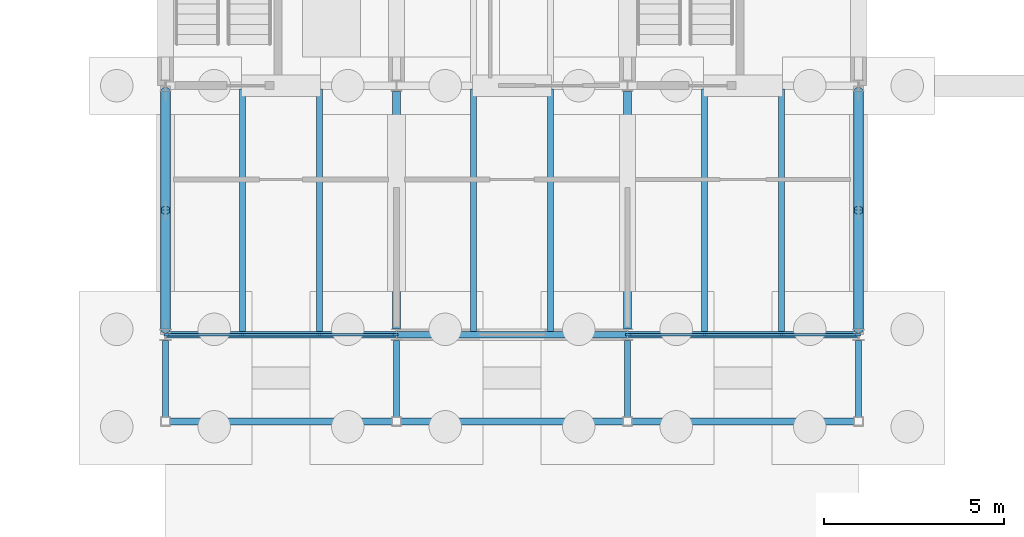
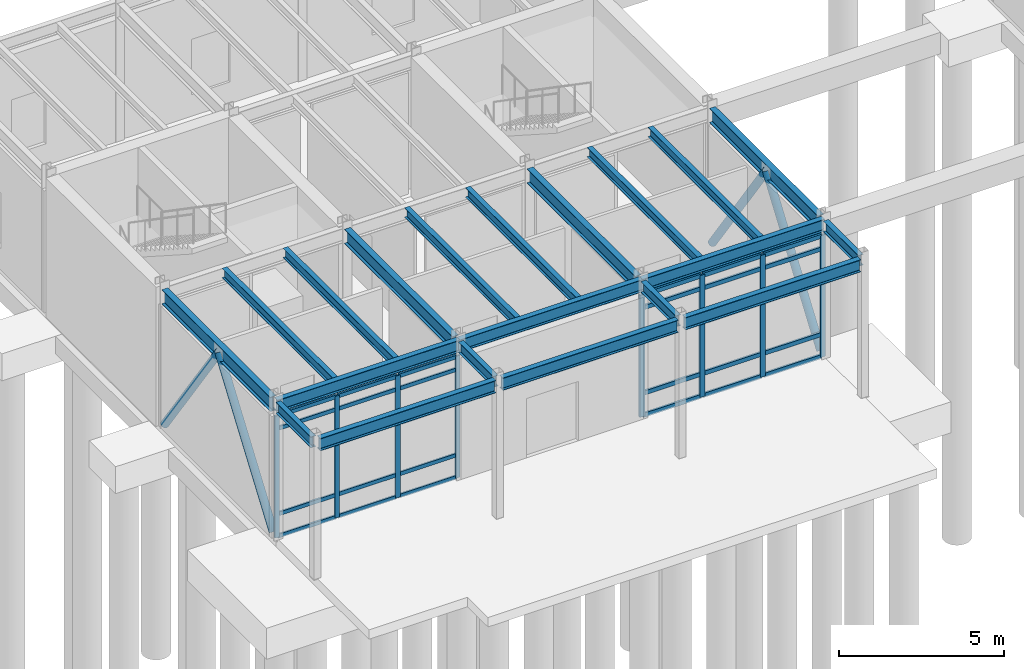
# One storey, part 39 of 82: 36 members, 20 beams, 2 elements without a shape of their own.
"""IFC4 building model written with IfcOpenShell, lengths in metres."""

from ifc_helpers import new_model, si_unit, direction, frame, origin, origin_2d, place, context, subcontext, project, spatial, rectangle, hollow_circle, i_section, extrude, material, layer, layer_set, material_profile, profile_set, type_object, element, aggregate, save


model = new_model("IFC4")

# Units and contexts
model_context = context("Model", 3, precision=1e-05, world=origin(), true_north=direction((0.0, 1.0)))
body_context = subcontext(model_context, "Body", "Model", "MODEL_VIEW")
ifc_project = project(units=[si_unit("LENGTHUNIT", "METRE"), si_unit("AREAUNIT", "SQUARE_METRE"), si_unit("VOLUMEUNIT", "CUBIC_METRE"), si_unit("PLANEANGLEUNIT", "RADIAN"), si_unit("MASSUNIT", "GRAM", prefix="KILO")], contexts=[model_context])

# Site, building, storey
site_placement = place(None, origin())
site = spatial("IfcSite", under=ifc_project, at=site_placement, CompositionType="ELEMENT")
building_placement = place(site_placement, origin())
building = spatial("IfcBuilding", under=site, at=building_placement, Name="Trelmorton Wharf Fire Station", CompositionType="ELEMENT")
storey_placement = place(building_placement, origin())
storey = spatial("IfcBuildingStorey", under=building, at=storey_placement, Name="L00", CompositionType="ELEMENT", Elevation=0.0)

# Beams
ifc_material_1 = material(Name="Steel Grade 350", Category="steel")
ifc_material_profile_1 = material_profile(ifc_material_1, i_section(OverallWidth=0.177978515625, OverallDepth=0.406005859375, WebThickness=0.0078125, FlangeThickness=0.0126953125, FilletRadius=0.011474609375, at=origin_2d()), Name="410UB59.7")
ifc_profile_set_1 = profile_set([ifc_material_profile_1], Name="Steel Grade 350")
beam_type_1 = type_object("IfcBeamType", Name="BM_410UB60", PredefinedType="BEAM", material=ifc_profile_set_1)
beam_1_placement = place(storey_placement, frame((70.800048828125, 58.02099609375, 4.927001953125), z_axis=(0.0, 1.0, 0.0), x_axis=(-1.0, 0.0, 0.0)))
element("IfcBeam", 1, at=beam_1_placement, inside=storey, type_object=beam_type_1, Name="BM-L00-0288", PredefinedType="BEAM", context=body_context, shape_type="SweptSolid", body=[
    extrude(i_section(OverallWidth=0.177978515625, OverallDepth=0.406005859375, WebThickness=0.0078125, FlangeThickness=0.0126953125, FilletRadius=0.011474609375, at=origin_2d()), origin(), (0.0, 0.0, 1.0), 2.12548828125),
])
for number, where, z_axis, x_axis, name in (
    (2, (77.199951171875, 58.02099609375, 4.927001953125), (0.0, 1.0, 0.0), (-1.0, 0.0, 0.0), "BM-L00-0294"),
    (3, (83.60009765625, 58.02099609375, 4.927001953125), (0.0, 1.0, 0.0), (-1.0, 0.0, 0.0), "BM-L00-0302"),
):
    element("IfcBeam", number, at=place(storey_placement, frame(where, z_axis=z_axis, x_axis=x_axis)), inside=storey, type_object=beam_type_1, Name=name, PredefinedType="BEAM", context=body_context, shape_type="SweptSolid", body=[
        extrude(i_section(OverallWidth=0.177978515625, OverallDepth=0.406005859375, WebThickness=0.0078125, FlangeThickness=0.0126953125, FilletRadius=0.011474609375, at=origin_2d()), origin(), (0.0, 0.0, 1.0), 2.119384765625),
    ])
beam_2_placement = place(storey_placement, frame((90.0, 58.02099609375, 4.927001953125), z_axis=(0.0, 1.0, 0.0), x_axis=(-1.0, 0.0, 0.0)))
element("IfcBeam", 4, at=beam_2_placement, inside=storey, type_object=beam_type_1, Name="BM-L00-0307", PredefinedType="BEAM", context=body_context, shape_type="SweptSolid", body=[
    extrude(i_section(OverallWidth=0.177978515625, OverallDepth=0.406005859375, WebThickness=0.0078125, FlangeThickness=0.0126953125, FilletRadius=0.011474609375, at=origin_2d()), origin(), (0.0, 0.0, 1.0), 2.12548828125),
])
ifc_material_profile_2 = material_profile(ifc_material_1, i_section(OverallWidth=0.208984375, OverallDepth=0.532958984375, WebThickness=0.01025390625, FlangeThickness=0.015625, FilletRadius=0.013916015625, at=origin_2d()), Name="530UB92.4")
ifc_profile_set_2 = profile_set([ifc_material_profile_2], Name="Steel Grade 350")
beam_type_2 = type_object("IfcBeamType", Name="BM_530UB92", PredefinedType="BEAM", material=ifc_profile_set_2)
beam_3_placement = place(storey_placement, frame((70.800048828125, 60.45361328125, 4.863525390625), z_axis=(0.0, 1.0, 0.0), x_axis=(-1.0, 0.0, 0.0)))
element("IfcBeam", 5, at=beam_3_placement, inside=storey, type_object=beam_type_2, Name="BM-L00-0289", PredefinedType="BEAM", context=body_context, shape_type="SweptSolid", body=[
    extrude(i_section(OverallWidth=0.208984375, OverallDepth=0.532958984375, WebThickness=0.01025390625, FlangeThickness=0.015625, FilletRadius=0.013916015625, at=origin_2d()), origin(), (0.0, 0.0, 1.0), 6.5869140625),
])
for number, where, z_axis, x_axis, name in (
    (6, (77.199951171875, 60.45947265625, 4.863525390625), (0.0, 1.0, 0.0), (-1.0, 0.0, 0.0), "BM-L00-0295"),
    (7, (83.60009765625, 60.45947265625, 4.863525390625), (0.0, 1.0, 0.0), (-1.0, 0.0, 0.0), "BM-L00-0303"),
):
    element("IfcBeam", number, at=place(storey_placement, frame(where, z_axis=z_axis, x_axis=x_axis)), inside=storey, type_object=beam_type_2, Name=name, PredefinedType="BEAM", context=body_context, shape_type="SweptSolid", body=[
        extrude(i_section(OverallWidth=0.208984375, OverallDepth=0.532958984375, WebThickness=0.01025390625, FlangeThickness=0.015625, FilletRadius=0.013916015625, at=origin_2d()), origin(), (0.0, 0.0, 1.0), 6.5810546875),
    ])
beam_4_placement = place(storey_placement, frame((90.0, 60.45361328125, 4.863525390625), z_axis=(0.0, 1.0, 0.0), x_axis=(-1.0, 0.0, 0.0)))
element("IfcBeam", 8, at=beam_4_placement, inside=storey, type_object=beam_type_2, Name="BM-L00-0308", PredefinedType="BEAM", context=body_context, shape_type="SweptSolid", body=[
    extrude(i_section(OverallWidth=0.208984375, OverallDepth=0.532958984375, WebThickness=0.01025390625, FlangeThickness=0.015625, FilletRadius=0.013916015625, at=origin_2d()), origin(), (0.0, 0.0, 1.0), 6.5869140625),
])
ifc_material_2 = material(Name="Signal-red architectural steel Grade 350", Category="steel")
ifc_material_profile_3 = material_profile(ifc_material_2, i_section(OverallWidth=0.19091796875, OverallDepth=0.4599609375, WebThickness=0.010009765625, FlangeThickness=0.01611328125, FilletRadius=0.011474609375, at=origin_2d()), Name="460UB82.1")
ifc_profile_set_3 = profile_set([ifc_material_profile_3], Name="Signal-red architectural steel Grade 350")
beam_type_3 = type_object("IfcBeamType", Name="BM_RED_460UB82", PredefinedType="BEAM", material=ifc_profile_set_3)
beam_5_placement = place(storey_placement, frame((70.9208984375, 57.89990234375, 4.89990234375), z_axis=(1.0, 0.0, 0.0), x_axis=(0.0, 1.0, 0.0)))
element("IfcBeam", 9, at=beam_5_placement, inside=storey, type_object=beam_type_3, Name="BM-L00-0127", PredefinedType="BEAM", context=body_context, shape_type="SweptSolid", body=[
    extrude(i_section(OverallWidth=0.19091796875, OverallDepth=0.4599609375, WebThickness=0.010009765625, FlangeThickness=0.01611328125, FilletRadius=0.011474609375, at=origin_2d()), origin(), (0.0, 0.0, 1.0), 6.158203125),
])
for number, where, z_axis, x_axis, name in (
    (10, (77.321044921875, 57.89990234375, 4.89990234375), (1.0, 0.0, 0.0), (0.0, 1.0, 0.0), "BM-L00-0128"),
    (11, (83.720947265625, 57.89990234375, 4.89990234375), (1.0, 0.0, 0.0), (0.0, 1.0, 0.0), "BM-L00-0129"),
):
    element("IfcBeam", number, at=place(storey_placement, frame(where, z_axis=z_axis, x_axis=x_axis)), inside=storey, type_object=beam_type_3, Name=name, PredefinedType="BEAM", context=body_context, shape_type="SweptSolid", body=[
        extrude(i_section(OverallWidth=0.19091796875, OverallDepth=0.4599609375, WebThickness=0.010009765625, FlangeThickness=0.01611328125, FilletRadius=0.011474609375, at=origin_2d()), origin(), (0.0, 0.0, 1.0), 6.157958984375),
    ])

# Members
ifc_material_3 = material(Name="Steel C350L0 (350 MPa)", Category="steel")
ifc_material_profile_4 = material_profile(ifc_material_3, hollow_circle(Radius=0.136474609375, WallThickness=0.00927734375, at=origin_2d()), Name="273.1x9.3CHS")
ifc_profile_set_4 = profile_set([ifc_material_profile_4], Name="Steel C350L0 (350 MPa)")
member_type_1 = type_object("IfcMemberType", Name="BR_273CHS", PredefinedType="BRACE", material=ifc_profile_set_4)
member_1_placement = place(storey_placement, frame((70.800048828125, 60.45458984375, 0.1201171875), z_axis=(0.0, 0.577391700443, 0.816467283031), x_axis=(-1.0, 0.0, 0.0)))
element("IfcMember", 12, at=member_1_placement, inside=storey, type_object=member_type_1, Name="CBF-V2-W-L00-A", PredefinedType="BRACE", context=body_context, shape_type="SweptSolid", body=[
    extrude(hollow_circle(Radius=0.136474609375, WallThickness=0.00927734375, at=origin_2d()), origin(), (0.0, 0.0, 1.0), 5.70751953125),
])
member_2_placement = place(storey_placement, frame((70.800048828125, 67.03955078125, 0.1201171875), z_axis=(0.0, -0.576706723329, 0.816951256359), x_axis=(1.0, 0.0, 0.0)))
element("IfcMember", 13, at=member_2_placement, inside=storey, type_object=member_type_1, Name="CBF-V2-W-L00-B", PredefinedType="BRACE", context=body_context, shape_type="SweptSolid", body=[
    extrude(hollow_circle(Radius=0.136474609375, WallThickness=0.00927734375, at=origin_2d()), origin(), (0.0, 0.0, 1.0), 5.7041015625),
])
member_3_placement = place(storey_placement, frame((90.0, 60.45458984375, 0.1201171875), z_axis=(0.0, 0.577391700443, 0.816467283031), x_axis=(-1.0, 0.0, 0.0)))
element("IfcMember", 14, at=member_3_placement, inside=storey, type_object=member_type_1, Name="CBF-V2-E-L00-A", PredefinedType="BRACE", context=body_context, shape_type="SweptSolid", body=[
    extrude(hollow_circle(Radius=0.136474609375, WallThickness=0.00927734375, at=origin_2d()), origin(), (0.0, 0.0, 1.0), 5.70751953125),
])
member_4_placement = place(storey_placement, frame((90.0, 67.03955078125, 0.1201171875), z_axis=(0.0, -0.576706723329, 0.816951256359), x_axis=(1.0, 0.0, 0.0)))
element("IfcMember", 15, at=member_4_placement, inside=storey, type_object=member_type_1, Name="CBF-V2-E-L00-B", PredefinedType="BRACE", context=body_context, shape_type="SweptSolid", body=[
    extrude(hollow_circle(Radius=0.136474609375, WallThickness=0.00927734375, at=origin_2d()), origin(), (0.0, 0.0, 1.0), 5.7041015625),
])

# Curtain wall, members
ifc_material_4 = material(Name="Anodised aluminium AW-6063", Category="aluminium")
ifc_layer = layer(ifc_material_4, 0.159912109375)
ifc_layer_set = layer_set([ifc_layer], Name="Anodised aluminium AW-6063")
curtain_wall_type = type_object("IfcCurtainWallType", Name="CW_CHIC_A", PredefinedType="USERDEFINED", material=ifc_layer_set)
curtain_wall_1_placement = place(storey_placement, origin())
curtain_wall_1 = element("IfcCurtainWall", 16, at=curtain_wall_1_placement, inside=storey, type_object=curtain_wall_type, Name="CW-V2-L00-097", ObjectType="CHICAGO BAY CURTAIN WALL", PredefinedType="USERDEFINED")
ifc_material_profile_5 = material_profile(ifc_material_4, rectangle(XDim=0.06494140625, YDim=0.159912109375, at=origin_2d()), Name="ALU-65x160")
ifc_profile_set_5 = profile_set([ifc_material_profile_5], Name="Anodised aluminium AW-6063")
member_type_2 = type_object("IfcMemberType", Name="CWM_65x160", PredefinedType="MULLION", material=ifc_profile_set_5)
member_5_placement = place(storey_placement, frame((77.1650390625, 60.300048828125, 0.0), z_axis=(0.0, 0.0, 1.0), x_axis=(0.0, -1.0, 0.0)))
member_5 = element("IfcMember", 17, at=member_5_placement, type_object=member_type_2, Name="CW1 mullion 1", PredefinedType="MULLION", context=body_context, shape_type="SweptSolid", body=[
    extrude(rectangle(XDim=0.06494140625, YDim=0.159912109375, at=origin_2d()), origin(), (0.0, 0.0, 1.0), 4.52001953125),
])
member_6_placement = place(storey_placement, frame((75.06494140625, 60.300048828125, 0.0), z_axis=(0.0, 0.0, 1.0), x_axis=(0.0, -1.0, 0.0)))
member_6 = element("IfcMember", 18, at=member_6_placement, type_object=member_type_2, Name="CW1 mullion 2", PredefinedType="MULLION", context=body_context, shape_type="SweptSolid", body=[
    extrude(rectangle(XDim=0.06494140625, YDim=0.159912109375, at=origin_2d()), origin(), (0.0, 0.0, 1.0), 4.52001953125),
])
member_7_placement = place(storey_placement, frame((72.93505859375, 60.300048828125, 0.0), z_axis=(0.0, 0.0, 1.0), x_axis=(0.0, -1.0, 0.0)))
member_7 = element("IfcMember", 19, at=member_7_placement, type_object=member_type_2, Name="CW1 mullion 3", PredefinedType="MULLION", context=body_context, shape_type="SweptSolid", body=[
    extrude(rectangle(XDim=0.06494140625, YDim=0.159912109375, at=origin_2d()), origin(), (0.0, 0.0, 1.0), 4.52001953125),
])
member_8_placement = place(storey_placement, frame((70.8349609375, 60.300048828125, 0.0), z_axis=(0.0, 0.0, 1.0), x_axis=(0.0, -1.0, 0.0)))
member_8 = element("IfcMember", 20, at=member_8_placement, type_object=member_type_2, Name="CW1 mullion 4", PredefinedType="MULLION", context=body_context, shape_type="SweptSolid", body=[
    extrude(rectangle(XDim=0.06494140625, YDim=0.159912109375, at=origin_2d()), origin(), (0.0, 0.0, 1.0), 4.52001953125),
])

curtain_wall_2_placement = place(storey_placement, origin())
curtain_wall_2 = element("IfcCurtainWall", 21, at=curtain_wall_2_placement, inside=storey, type_object=curtain_wall_type, Name="CW-V2-L00-098", ObjectType="CHICAGO BAY CURTAIN WALL", PredefinedType="USERDEFINED")
ifc_material_profile_6 = material_profile(ifc_material_4, rectangle(XDim=0.074951171875, YDim=0.175048828125, at=origin_2d()), Name="ALU-75x175")
ifc_profile_set_6 = profile_set([ifc_material_profile_6], Name="Anodised aluminium AW-6063")
member_type_3 = type_object("IfcMemberType", Name="CWM_75x175", PredefinedType="MULLION", material=ifc_profile_set_6)
member_9_placement = place(storey_placement, frame((89.965087890625, 60.300048828125, 0.0), z_axis=(0.0, 0.0, 1.0), x_axis=(0.0, -1.0, 0.0)))
member_9 = element("IfcMember", 22, at=member_9_placement, type_object=member_type_3, Name="CW1 mullion 1", PredefinedType="MULLION", context=body_context, shape_type="SweptSolid", body=[
    extrude(rectangle(XDim=0.074951171875, YDim=0.175048828125, at=origin_2d()), origin(), (0.0, 0.0, 1.0), 4.52001953125),
])
member_10_placement = place(storey_placement, frame((87.864990234375, 60.300048828125, 0.0), z_axis=(0.0, 0.0, 1.0), x_axis=(0.0, -1.0, 0.0)))
member_10 = element("IfcMember", 23, at=member_10_placement, type_object=member_type_3, Name="CW1 mullion 2", PredefinedType="MULLION", context=body_context, shape_type="SweptSolid", body=[
    extrude(rectangle(XDim=0.074951171875, YDim=0.175048828125, at=origin_2d()), origin(), (0.0, 0.0, 1.0), 4.52001953125),
])
member_11_placement = place(storey_placement, frame((85.735107421875, 60.300048828125, 0.0), z_axis=(0.0, 0.0, 1.0), x_axis=(0.0, -1.0, 0.0)))
member_11 = element("IfcMember", 24, at=member_11_placement, type_object=member_type_3, Name="CW1 mullion 3", PredefinedType="MULLION", context=body_context, shape_type="SweptSolid", body=[
    extrude(rectangle(XDim=0.074951171875, YDim=0.175048828125, at=origin_2d()), origin(), (0.0, 0.0, 1.0), 4.52001953125),
])
member_12_placement = place(storey_placement, frame((83.635009765625, 60.300048828125, 0.0), z_axis=(0.0, 0.0, 1.0), x_axis=(0.0, -1.0, 0.0)))
member_12 = element("IfcMember", 25, at=member_12_placement, type_object=member_type_3, Name="CW1 mullion 4", PredefinedType="MULLION", context=body_context, shape_type="SweptSolid", body=[
    extrude(rectangle(XDim=0.074951171875, YDim=0.175048828125, at=origin_2d()), origin(), (0.0, 0.0, 1.0), 4.52001953125),
])

# Member
ifc_material_profile_7 = material_profile(ifc_material_4, rectangle(XDim=0.06494140625, YDim=0.139892578125, at=origin_2d()), Name="ALU-65x140")
ifc_profile_set_7 = profile_set([ifc_material_profile_7], Name="Anodised aluminium AW-6063")
member_type_4 = type_object("IfcMemberType", Name="CWT_65x140", PredefinedType="USERDEFINED", material=ifc_profile_set_7)
member_13_placement = place(storey_placement, frame((77.135009765625, 60.300048828125, 0.030029296875), z_axis=(-1.0, 0.0, 0.0), x_axis=(0.0, -1.0, 0.0)))
member_13 = element("IfcMember", 26, at=member_13_placement, type_object=member_type_4, Name="CW1 transom 1.1", ObjectType="TRANSOM", PredefinedType="USERDEFINED", context=body_context, shape_type="SweptSolid", body=[
    extrude(rectangle(XDim=0.06494140625, YDim=0.139892578125, at=origin_2d()), origin(), (0.0, 0.0, 1.0), 2.0400390625),
])

member_14_placement = place(storey_placement, frame((77.135009765625, 60.300048828125, 0.85009765625), z_axis=(-1.0, 0.0, 0.0), x_axis=(0.0, -1.0, 0.0)))
member_14 = element("IfcMember", 27, at=member_14_placement, type_object=member_type_4, Name="CW1 transom 1.2", ObjectType="TRANSOM", PredefinedType="USERDEFINED", context=body_context, shape_type="SweptSolid", body=[
    extrude(rectangle(XDim=0.06494140625, YDim=0.139892578125, at=origin_2d()), origin(), (0.0, 0.0, 1.0), 2.0400390625),
])

member_15_placement = place(storey_placement, frame((77.135009765625, 60.300048828125, 4.02001953125), z_axis=(-1.0, 0.0, 0.0), x_axis=(0.0, -1.0, 0.0)))
member_15 = element("IfcMember", 28, at=member_15_placement, type_object=member_type_4, Name="CW1 transom 1.3", ObjectType="TRANSOM", PredefinedType="USERDEFINED", context=body_context, shape_type="SweptSolid", body=[
    extrude(rectangle(XDim=0.06494140625, YDim=0.139892578125, at=origin_2d()), origin(), (0.0, 0.0, 1.0), 2.0400390625),
])

member_16_placement = place(storey_placement, frame((77.135009765625, 60.300048828125, 4.489990234375), z_axis=(-1.0, 0.0, 0.0), x_axis=(0.0, -1.0, 0.0)))
member_16 = element("IfcMember", 29, at=member_16_placement, type_object=member_type_4, Name="CW1 transom 1.4", ObjectType="TRANSOM", PredefinedType="USERDEFINED", context=body_context, shape_type="SweptSolid", body=[
    extrude(rectangle(XDim=0.06494140625, YDim=0.139892578125, at=origin_2d()), origin(), (0.0, 0.0, 1.0), 2.0400390625),
])

member_17_placement = place(storey_placement, frame((75.034912109375, 60.300048828125, 0.030029296875), z_axis=(-1.0, 0.0, 0.0), x_axis=(0.0, -1.0, 0.0)))
member_17 = element("IfcMember", 30, at=member_17_placement, type_object=member_type_4, Name="CW1 transom 2.1", ObjectType="TRANSOM", PredefinedType="USERDEFINED", context=body_context, shape_type="SweptSolid", body=[
    extrude(rectangle(XDim=0.06494140625, YDim=0.139892578125, at=origin_2d()), origin(), (0.0, 0.0, 1.0), 2.06982421875),
])

member_18_placement = place(storey_placement, frame((75.034912109375, 60.300048828125, 0.85009765625), z_axis=(-1.0, 0.0, 0.0), x_axis=(0.0, -1.0, 0.0)))
member_18 = element("IfcMember", 31, at=member_18_placement, type_object=member_type_4, Name="CW1 transom 2.2", ObjectType="TRANSOM", PredefinedType="USERDEFINED", context=body_context, shape_type="SweptSolid", body=[
    extrude(rectangle(XDim=0.06494140625, YDim=0.139892578125, at=origin_2d()), origin(), (0.0, 0.0, 1.0), 2.06982421875),
])

member_19_placement = place(storey_placement, frame((75.034912109375, 60.300048828125, 4.02001953125), z_axis=(-1.0, 0.0, 0.0), x_axis=(0.0, -1.0, 0.0)))
member_19 = element("IfcMember", 32, at=member_19_placement, type_object=member_type_4, Name="CW1 transom 2.3", ObjectType="TRANSOM", PredefinedType="USERDEFINED", context=body_context, shape_type="SweptSolid", body=[
    extrude(rectangle(XDim=0.06494140625, YDim=0.139892578125, at=origin_2d()), origin(), (0.0, 0.0, 1.0), 2.06982421875),
])

member_20_placement = place(storey_placement, frame((75.034912109375, 60.300048828125, 4.489990234375), z_axis=(-1.0, 0.0, 0.0), x_axis=(0.0, -1.0, 0.0)))
member_20 = element("IfcMember", 33, at=member_20_placement, type_object=member_type_4, Name="CW1 transom 2.4", ObjectType="TRANSOM", PredefinedType="USERDEFINED", context=body_context, shape_type="SweptSolid", body=[
    extrude(rectangle(XDim=0.06494140625, YDim=0.139892578125, at=origin_2d()), origin(), (0.0, 0.0, 1.0), 2.06982421875),
])

member_21_placement = place(storey_placement, frame((72.905029296875, 60.300048828125, 0.030029296875), z_axis=(-1.0, 0.0, 0.0), x_axis=(0.0, -1.0, 0.0)))
member_21 = element("IfcMember", 34, at=member_21_placement, type_object=member_type_4, Name="CW1 transom 3.1", ObjectType="TRANSOM", PredefinedType="USERDEFINED", context=body_context, shape_type="SweptSolid", body=[
    extrude(rectangle(XDim=0.06494140625, YDim=0.139892578125, at=origin_2d()), origin(), (0.0, 0.0, 1.0), 2.0400390625),
])

member_22_placement = place(storey_placement, frame((72.905029296875, 60.300048828125, 0.85009765625), z_axis=(-1.0, 0.0, 0.0), x_axis=(0.0, -1.0, 0.0)))
member_22 = element("IfcMember", 35, at=member_22_placement, type_object=member_type_4, Name="CW1 transom 3.2", ObjectType="TRANSOM", PredefinedType="USERDEFINED", context=body_context, shape_type="SweptSolid", body=[
    extrude(rectangle(XDim=0.06494140625, YDim=0.139892578125, at=origin_2d()), origin(), (0.0, 0.0, 1.0), 2.0400390625),
])

member_23_placement = place(storey_placement, frame((72.905029296875, 60.300048828125, 4.02001953125), z_axis=(-1.0, 0.0, 0.0), x_axis=(0.0, -1.0, 0.0)))
member_23 = element("IfcMember", 36, at=member_23_placement, type_object=member_type_4, Name="CW1 transom 3.3", ObjectType="TRANSOM", PredefinedType="USERDEFINED", context=body_context, shape_type="SweptSolid", body=[
    extrude(rectangle(XDim=0.06494140625, YDim=0.139892578125, at=origin_2d()), origin(), (0.0, 0.0, 1.0), 2.0400390625),
])

member_24_placement = place(storey_placement, frame((72.905029296875, 60.300048828125, 4.489990234375), z_axis=(-1.0, 0.0, 0.0), x_axis=(0.0, -1.0, 0.0)))
member_24 = element("IfcMember", 37, at=member_24_placement, type_object=member_type_4, Name="CW1 transom 3.4", ObjectType="TRANSOM", PredefinedType="USERDEFINED", context=body_context, shape_type="SweptSolid", body=[
    extrude(rectangle(XDim=0.06494140625, YDim=0.139892578125, at=origin_2d()), origin(), (0.0, 0.0, 1.0), 2.0400390625),
])

aggregate(curtain_wall_1, [member_5, member_6, member_7, member_8, member_13, member_14, member_15, member_16, member_17, member_18, member_19, member_20, member_21, member_22, member_23, member_24])

ifc_material_profile_8 = material_profile(ifc_material_4, rectangle(XDim=0.074951171875, YDim=0.155029296875, at=origin_2d()), Name="ALU-75x155")
ifc_profile_set_8 = profile_set([ifc_material_profile_8], Name="Anodised aluminium AW-6063")
member_type_5 = type_object("IfcMemberType", Name="CWT_75x155", PredefinedType="USERDEFINED", material=ifc_profile_set_8)
member_25_placement = place(storey_placement, frame((89.93505859375, 60.300048828125, 0.030029296875), z_axis=(-1.0, 0.0, 0.0), x_axis=(0.0, -1.0, 0.0)))
member_25 = element("IfcMember", 38, at=member_25_placement, type_object=member_type_5, Name="CW1 transom 1.1", ObjectType="TRANSOM", PredefinedType="USERDEFINED", context=body_context, shape_type="SweptSolid", body=[
    extrude(rectangle(XDim=0.074951171875, YDim=0.155029296875, at=origin_2d()), origin(), (0.0, 0.0, 1.0), 2.0400390625),
])

member_26_placement = place(storey_placement, frame((89.93505859375, 60.300048828125, 0.85009765625), z_axis=(-1.0, 0.0, 0.0), x_axis=(0.0, -1.0, 0.0)))
member_26 = element("IfcMember", 39, at=member_26_placement, type_object=member_type_5, Name="CW1 transom 1.2", ObjectType="TRANSOM", PredefinedType="USERDEFINED", context=body_context, shape_type="SweptSolid", body=[
    extrude(rectangle(XDim=0.074951171875, YDim=0.155029296875, at=origin_2d()), origin(), (0.0, 0.0, 1.0), 2.0400390625),
])

member_27_placement = place(storey_placement, frame((89.93505859375, 60.300048828125, 4.02001953125), z_axis=(-1.0, 0.0, 0.0), x_axis=(0.0, -1.0, 0.0)))
member_27 = element("IfcMember", 40, at=member_27_placement, type_object=member_type_5, Name="CW1 transom 1.3", ObjectType="TRANSOM", PredefinedType="USERDEFINED", context=body_context, shape_type="SweptSolid", body=[
    extrude(rectangle(XDim=0.074951171875, YDim=0.155029296875, at=origin_2d()), origin(), (0.0, 0.0, 1.0), 2.0400390625),
])

member_28_placement = place(storey_placement, frame((89.93505859375, 60.300048828125, 4.489990234375), z_axis=(-1.0, 0.0, 0.0), x_axis=(0.0, -1.0, 0.0)))
member_28 = element("IfcMember", 41, at=member_28_placement, type_object=member_type_5, Name="CW1 transom 1.4", ObjectType="TRANSOM", PredefinedType="USERDEFINED", context=body_context, shape_type="SweptSolid", body=[
    extrude(rectangle(XDim=0.074951171875, YDim=0.155029296875, at=origin_2d()), origin(), (0.0, 0.0, 1.0), 2.0400390625),
])

member_29_placement = place(storey_placement, frame((87.8349609375, 60.300048828125, 0.030029296875), z_axis=(-1.0, 0.0, 0.0), x_axis=(0.0, -1.0, 0.0)))
member_29 = element("IfcMember", 42, at=member_29_placement, type_object=member_type_5, Name="CW1 transom 2.1", ObjectType="TRANSOM", PredefinedType="USERDEFINED", context=body_context, shape_type="SweptSolid", body=[
    extrude(rectangle(XDim=0.074951171875, YDim=0.155029296875, at=origin_2d()), origin(), (0.0, 0.0, 1.0), 2.070068359375),
])

member_30_placement = place(storey_placement, frame((87.8349609375, 60.300048828125, 0.85009765625), z_axis=(-1.0, 0.0, 0.0), x_axis=(0.0, -1.0, 0.0)))
member_30 = element("IfcMember", 43, at=member_30_placement, type_object=member_type_5, Name="CW1 transom 2.2", ObjectType="TRANSOM", PredefinedType="USERDEFINED", context=body_context, shape_type="SweptSolid", body=[
    extrude(rectangle(XDim=0.074951171875, YDim=0.155029296875, at=origin_2d()), origin(), (0.0, 0.0, 1.0), 2.070068359375),
])

member_31_placement = place(storey_placement, frame((87.8349609375, 60.300048828125, 4.02001953125), z_axis=(-1.0, 0.0, 0.0), x_axis=(0.0, -1.0, 0.0)))
member_31 = element("IfcMember", 44, at=member_31_placement, type_object=member_type_5, Name="CW1 transom 2.3", ObjectType="TRANSOM", PredefinedType="USERDEFINED", context=body_context, shape_type="SweptSolid", body=[
    extrude(rectangle(XDim=0.074951171875, YDim=0.155029296875, at=origin_2d()), origin(), (0.0, 0.0, 1.0), 2.070068359375),
])

member_32_placement = place(storey_placement, frame((87.8349609375, 60.300048828125, 4.489990234375), z_axis=(-1.0, 0.0, 0.0), x_axis=(0.0, -1.0, 0.0)))
member_32 = element("IfcMember", 45, at=member_32_placement, type_object=member_type_5, Name="CW1 transom 2.4", ObjectType="TRANSOM", PredefinedType="USERDEFINED", context=body_context, shape_type="SweptSolid", body=[
    extrude(rectangle(XDim=0.074951171875, YDim=0.155029296875, at=origin_2d()), origin(), (0.0, 0.0, 1.0), 2.070068359375),
])

member_33_placement = place(storey_placement, frame((85.705078125, 60.300048828125, 0.030029296875), z_axis=(-1.0, 0.0, 0.0), x_axis=(0.0, -1.0, 0.0)))
member_33 = element("IfcMember", 46, at=member_33_placement, type_object=member_type_5, Name="CW1 transom 3.1", ObjectType="TRANSOM", PredefinedType="USERDEFINED", context=body_context, shape_type="SweptSolid", body=[
    extrude(rectangle(XDim=0.074951171875, YDim=0.155029296875, at=origin_2d()), origin(), (0.0, 0.0, 1.0), 2.0400390625),
])

member_34_placement = place(storey_placement, frame((85.705078125, 60.300048828125, 0.85009765625), z_axis=(-1.0, 0.0, 0.0), x_axis=(0.0, -1.0, 0.0)))
member_34 = element("IfcMember", 47, at=member_34_placement, type_object=member_type_5, Name="CW1 transom 3.2", ObjectType="TRANSOM", PredefinedType="USERDEFINED", context=body_context, shape_type="SweptSolid", body=[
    extrude(rectangle(XDim=0.074951171875, YDim=0.155029296875, at=origin_2d()), origin(), (0.0, 0.0, 1.0), 2.0400390625),
])

member_35_placement = place(storey_placement, frame((85.705078125, 60.300048828125, 4.02001953125), z_axis=(-1.0, 0.0, 0.0), x_axis=(0.0, -1.0, 0.0)))
member_35 = element("IfcMember", 48, at=member_35_placement, type_object=member_type_5, Name="CW1 transom 3.3", ObjectType="TRANSOM", PredefinedType="USERDEFINED", context=body_context, shape_type="SweptSolid", body=[
    extrude(rectangle(XDim=0.074951171875, YDim=0.155029296875, at=origin_2d()), origin(), (0.0, 0.0, 1.0), 2.0400390625),
])

member_36_placement = place(storey_placement, frame((85.705078125, 60.300048828125, 4.489990234375), z_axis=(-1.0, 0.0, 0.0), x_axis=(0.0, -1.0, 0.0)))
member_36 = element("IfcMember", 49, at=member_36_placement, type_object=member_type_5, Name="CW1 transom 3.4", ObjectType="TRANSOM", PredefinedType="USERDEFINED", context=body_context, shape_type="SweptSolid", body=[
    extrude(rectangle(XDim=0.074951171875, YDim=0.155029296875, at=origin_2d()), origin(), (0.0, 0.0, 1.0), 2.0400390625),
])

aggregate(curtain_wall_2, [member_9, member_10, member_11, member_12, member_25, member_26, member_27, member_28, member_29, member_30, member_31, member_32, member_33, member_34, member_35, member_36])

# Beams
ifc_material_profile_9 = material_profile(ifc_material_1, i_section(OverallWidth=0.172119140625, OverallDepth=0.35888671875, WebThickness=0.008056640625, FlangeThickness=0.012939453125, FilletRadius=0.011474609375, at=origin_2d()), Name="360UB56.7")
ifc_profile_set_9 = profile_set([ifc_material_profile_9], Name="Steel Grade 350")
beam_type_4 = type_object("IfcBeamType", Name="JS_360UB57", PredefinedType="JOIST", material=ifc_profile_set_9)
for number, where, z_axis, x_axis, name in (
    (50, (72.933349609375, 60.389892578125, 4.950439453125), (0.0, 1.0, 0.0), (-1.0, 0.0, 0.0), "JS-L00-0059"),
    (51, (75.066650390625, 60.389892578125, 4.950439453125), (0.0, 1.0, 0.0), (-1.0, 0.0, 0.0), "JS-L00-0060"),
    (52, (79.333251953125, 60.389892578125, 4.950439453125), (0.0, 1.0, 0.0), (-1.0, 0.0, 0.0), "JS-L00-0063"),
    (53, (81.466796875, 60.389892578125, 4.950439453125), (0.0, 1.0, 0.0), (-1.0, 0.0, 0.0), "JS-L00-0064"),
    (54, (85.7333984375, 60.389892578125, 4.950439453125), (0.0, 1.0, 0.0), (-1.0, 0.0, 0.0), "JS-L00-0069"),
    (55, (87.86669921875, 60.389892578125, 4.950439453125), (0.0, 1.0, 0.0), (-1.0, 0.0, 0.0), "JS-L00-0070"),
):
    element("IfcBeam", number, at=place(storey_placement, frame(where, z_axis=z_axis, x_axis=x_axis)), inside=storey, type_object=beam_type_4, Name=name, PredefinedType="JOIST", context=body_context, shape_type="SweptSolid", body=[
        extrude(i_section(OverallWidth=0.172119140625, OverallDepth=0.35888671875, WebThickness=0.008056640625, FlangeThickness=0.012939453125, FilletRadius=0.011474609375, at=origin_2d()), origin(), (0.0, 0.0, 1.0), 6.72021484375),
    ])
ifc_material_profile_10 = material_profile(ifc_material_1, i_section(OverallWidth=0.18994140625, OverallDepth=0.45703125, WebThickness=0.009033203125, FlangeThickness=0.014404296875, FilletRadius=0.011474609375, at=origin_2d()), Name="460UB74.6")
ifc_profile_set_10 = profile_set([ifc_material_profile_10], Name="Steel Grade 350")
beam_type_5 = type_object("IfcBeamType", Name="SP_460UB75", PredefinedType="SPANDREL", material=ifc_profile_set_10)
beam_6_placement = place(storey_placement, frame((70.803955078125, 60.300048828125, 4.901611328125), z_axis=(1.0, 0.0, 0.0), x_axis=(0.0, 1.0, 0.0)))
element("IfcBeam", 56, at=beam_6_placement, inside=storey, type_object=beam_type_5, Name="BM-L00-0138", PredefinedType="SPANDREL", context=body_context, shape_type="SweptSolid", body=[
    extrude(i_section(OverallWidth=0.18994140625, OverallDepth=0.45703125, WebThickness=0.009033203125, FlangeThickness=0.014404296875, FilletRadius=0.011474609375, at=origin_2d()), origin(), (0.0, 0.0, 1.0), 6.39013671875),
])
beam_7_placement = place(storey_placement, frame((77.205810546875, 60.300048828125, 4.901611328125), z_axis=(1.0, 0.0, 0.0), x_axis=(0.0, 1.0, 0.0)))
element("IfcBeam", 57, at=beam_7_placement, inside=storey, type_object=beam_type_5, Name="BM-L00-0139", PredefinedType="SPANDREL", context=body_context, shape_type="SweptSolid", body=[
    extrude(i_section(OverallWidth=0.18994140625, OverallDepth=0.45703125, WebThickness=0.009033203125, FlangeThickness=0.014404296875, FilletRadius=0.011474609375, at=origin_2d()), origin(), (0.0, 0.0, 1.0), 6.38818359375),
])
beam_8_placement = place(storey_placement, frame((83.605712890625, 60.300048828125, 4.901611328125), z_axis=(1.0, 0.0, 0.0), x_axis=(0.0, 1.0, 0.0)))
element("IfcBeam", 58, at=beam_8_placement, inside=storey, type_object=beam_type_5, Name="BM-L00-0140", PredefinedType="SPANDREL", context=body_context, shape_type="SweptSolid", body=[
    extrude(i_section(OverallWidth=0.18994140625, OverallDepth=0.45703125, WebThickness=0.009033203125, FlangeThickness=0.014404296875, FilletRadius=0.011474609375, at=origin_2d()), origin(), (0.0, 0.0, 1.0), 6.390380859375),
])

save(model, "model.ifc")
